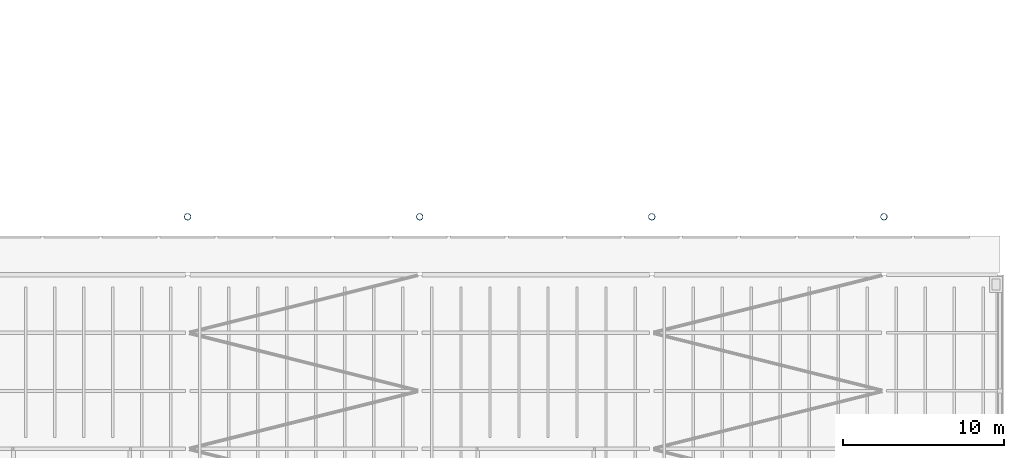
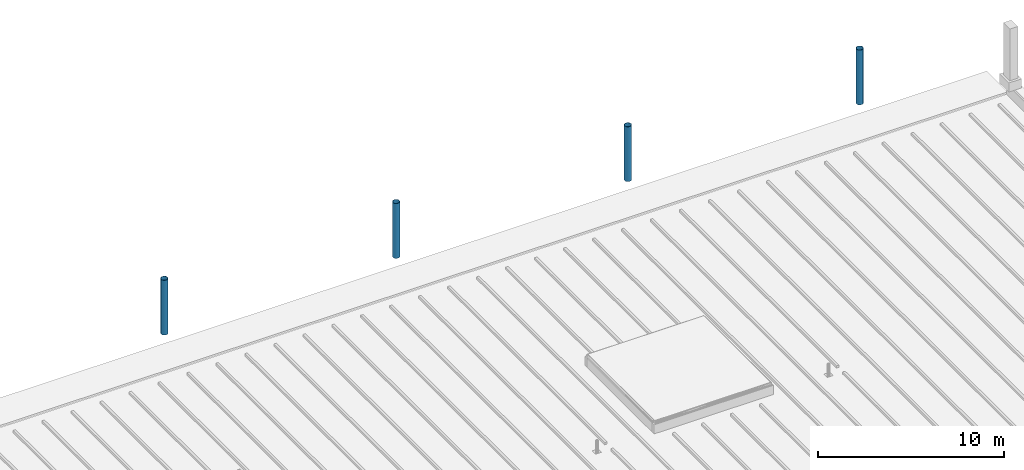
# One storey, part 11 of 120: 4 columns.
"""IFC4 building model written with IfcOpenShell, lengths in metres."""

from ifc_helpers import new_model, si_unit, direction, frame, origin, origin_2d, place, context, subcontext, project, spatial, hollow_circle, extrude, material, material_profile, profile_set, type_object, element, save


model = new_model("IFC4")

# Units and contexts
model_context = context("Model", 3, precision=1e-05, world=origin(), true_north=direction((0.0, 1.0)))
body_context = subcontext(model_context, "Body", "Model", "MODEL_VIEW")
ifc_project = project(units=[si_unit("LENGTHUNIT", "METRE"), si_unit("AREAUNIT", "SQUARE_METRE"), si_unit("VOLUMEUNIT", "CUBIC_METRE"), si_unit("PLANEANGLEUNIT", "RADIAN"), si_unit("MASSUNIT", "GRAM", prefix="KILO")], contexts=[model_context])

# Site, building, storey
site_placement = place(None, origin())
site = spatial("IfcSite", under=ifc_project, at=site_placement, CompositionType="ELEMENT")
building_placement = place(site_placement, origin())
building = spatial("IfcBuilding", under=site, at=building_placement, Name="Kupolbacken Congress Centre", CompositionType="ELEMENT")
storey_placement = place(building_placement, frame((0.0, 0.0, 21.60009765625)))
storey = spatial("IfcBuildingStorey", under=building, at=storey_placement, Name="L06", CompositionType="ELEMENT", Elevation=21.60009765625)

# Columns
ifc_material = material(Name="Steel S355", Category="steel")
ifc_material_profile = material_profile(ifc_material, hollow_circle(Radius=0.203125, WallThickness=0.01611328125, at=origin_2d()), Name="CHS 406.4 x 16")
ifc_profile_set = profile_set([ifc_material_profile], Name="Steel S355")
column_type = type_object("IfcColumnType", Name="C15 roof mast CHS 406.4 x 16", PredefinedType="COLUMN", material=ifc_profile_set)
for number, where, z_axis, x_axis, name in (
    (1, (151.199951171875, 118.800048828125, 0.0), (0.0, 0.0, 1.0), (1.0, 0.0, 0.0), "Roof mast M5N"),
    (2, (165.60009765625, 118.800048828125, 0.0), (0.0, 0.0, 1.0), (1.0, 0.0, 0.0), "Roof mast M6N"),
    (3, (180.0, 118.800048828125, 0.0), (0.0, 0.0, 1.0), (1.0, 0.0, 0.0), "Roof mast M7N"),
    (4, (194.39990234375, 118.800048828125, 0.0), (0.0, 0.0, 1.0), (1.0, 0.0, 0.0), "Roof mast M8N"),
):
    element("IfcColumn", number, at=place(storey_placement, frame(where, z_axis=z_axis, x_axis=x_axis)), inside=storey, type_object=column_type, Name=name, PredefinedType="COLUMN", context=body_context, shape_type="SweptSolid", body=[
        extrude(hollow_circle(Radius=0.203125, WallThickness=0.01611328125, at=origin_2d()), origin(), (0.0, 0.0, 1.0), 3.599853515625),
    ])

save(model, "model.ifc")
